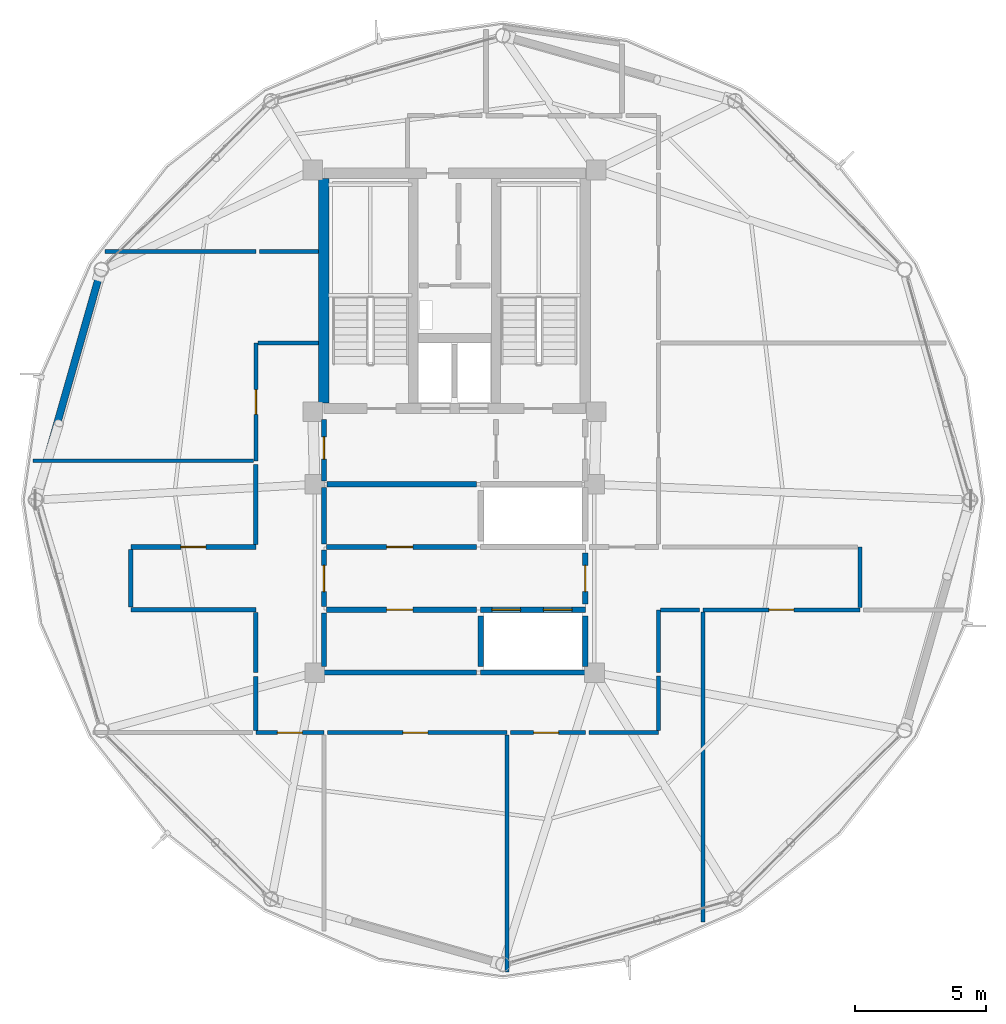
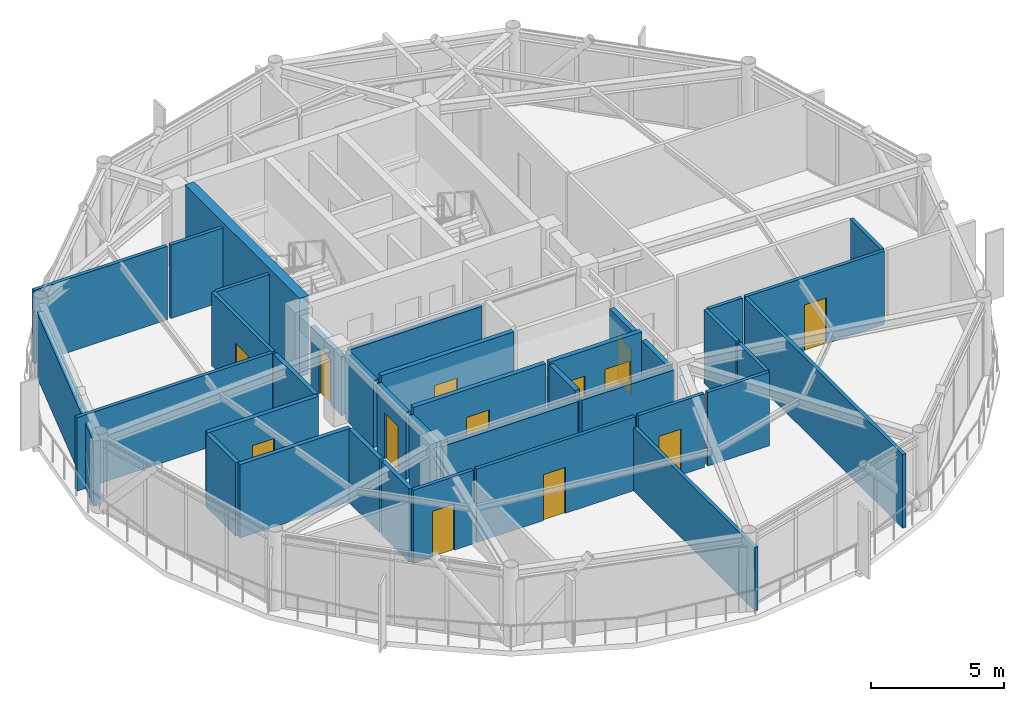
# One storey, part 19 of 24: 37 walls, 13 doors, 13 openings.
"""IFC4 building model written with IfcOpenShell, lengths in metres."""

from ifc_helpers import new_model, si_unit, direction, frame, frame_2d, origin, place, context, subcontext, project, spatial, rectangle, extrude, material, layer, layer_set, type_object, element, fill, save


model = new_model("IFC4")

# Units and contexts
model_context = context("Model", 3, precision=1e-05, world=origin(), true_north=direction((0.0, 1.0)))
body_context = subcontext(model_context, "Body", "Model", "MODEL_VIEW")
ifc_project = project(units=[si_unit("LENGTHUNIT", "METRE"), si_unit("AREAUNIT", "SQUARE_METRE"), si_unit("VOLUMEUNIT", "CUBIC_METRE"), si_unit("PLANEANGLEUNIT", "RADIAN"), si_unit("MASSUNIT", "GRAM", prefix="KILO")], contexts=[model_context])

# Site, building, storey
site_placement = place(None, origin())
site = spatial("IfcSite", under=ifc_project, at=site_placement, CompositionType="ELEMENT")
building_placement = place(site_placement, origin())
building = spatial("IfcBuilding", under=site, at=building_placement, Name="Varnakorn Sky Granary", CompositionType="ELEMENT")
storey_placement = place(building_placement, frame((0.0, 0.0, 281.39990234375)))
storey = spatial("IfcBuildingStorey", under=building, at=storey_placement, Name="L72", CompositionType="ELEMENT", Elevation=281.39990234375)

# Walls
ifc_material_1 = material(Name="Concrete C50/60", Category="concrete")
ifc_layer_1 = layer(ifc_material_1, 0.39990234375, Name="Concrete C50/60")
ifc_layer_set_1 = layer_set([ifc_layer_1], Name="Concrete C50/60")
wall_type_1 = type_object("IfcWallType", Name="WT-CW-SHEAR-400", PredefinedType="SHEAR", material=ifc_layer_set_1)
wall_1_placement = place(storey_placement, frame((-2.0, 3.7099609375, 0.0), z_axis=(0.0, 0.0, 1.0), x_axis=(0.0, 1.0, 0.0)))
element("IfcWall", 1, at=wall_1_placement, inside=storey, type_object=wall_type_1, Name="Core West Shear Wall L72", PredefinedType="SHEAR", context=body_context, shape_type="SweptSolid", body=[
    extrude(rectangle(XDim=8.580078125, YDim=0.39990234375, at=frame_2d((4.2900390625, 0.0))), origin(), (0.0, 0.0, 1.0), 3.592041015625),
])
ifc_material_2 = material(Name="Precast concrete C40/50", Category="concrete")
ifc_layer_2 = layer(ifc_material_2, 0.280029296875, Name="Precast concrete C40/50")
ifc_layer_set_2 = layer_set([ifc_layer_2], Name="Precast concrete C40/50")
wall_type_2 = type_object("IfcWallType", Name="WT-EW-CRN-280", PredefinedType="SOLIDWALL", material=ifc_layer_set_2)
wall_2_placement = place(storey_placement, frame((-12.970703125, 0.2255859375, 0.0), z_axis=(0.0, 0.0, 1.0), x_axis=(0.274124267382, 0.961694278881, 0.0)))
element("IfcWall", 2, at=wall_2_placement, inside=storey, type_object=wall_type_2, Name="Agritech Insulated Precast Facade Wall L72-P06", PredefinedType="SOLIDWALL", context=body_context, shape_type="SweptSolid", body=[
    extrude(rectangle(XDim=8.69873046875, YDim=0.280029296875, at=frame_2d((4.349365234375, 0.0))), origin(), (0.0, 0.0, 1.0), 2.97021484375),
])

# Wall, opening, door
ifc_material_3 = material(Name="Autoclaved Aerated Concrete Blockwork", Category="masonry")
ifc_layer_3 = layer(ifc_material_3, 0.199951171875, Name="Autoclaved Aerated Concrete Blockwork")
ifc_layer_set_3 = layer_set([ifc_layer_3], Name="Autoclaved Aerated Concrete Blockwork")
wall_type_3 = type_object("IfcWallType", Name="WT-FIRE-200", PredefinedType="MOVABLE", material=ifc_layer_set_3)
wall_3_placement = place(storey_placement, frame((-2.0, 0.719970703125, 0.0), z_axis=(0.0, 0.0, 1.0), x_axis=(0.0, 1.0, 0.0)))
wall_3 = element("IfcWall", 3, at=wall_3_placement, inside=storey, type_object=wall_type_3, Name="Interior Partition Wall L72-013", PredefinedType="MOVABLE", context=body_context, shape_type="SweptSolid", body=[
    extrude(rectangle(XDim=2.35009765625, YDim=0.199951171875, at=frame_2d((1.175048828125, 0.0))), origin(), (0.0, 0.0, 1.0), 2.692138671875),
])
opening_1_placement = place(wall_3_placement, frame((0.844970703125, 0.0, 0.0)))
opening_1 = element("IfcOpeningElement", 4, at=opening_1_placement, cuts=wall_3, Name="Opening FD-60N", PredefinedType="OPENING", context=body_context, shape_type="SweptSolid", body=[
    extrude(rectangle(XDim=0.85009765625, YDim=2.10009765625, at=frame_2d((0.425048828125, 1.050048828125))), frame((0.0, 0.10986328125, 0.0), z_axis=(0.0, -1.0, 0.0), x_axis=(1.0, 0.0, 0.0)), (0.0, 0.0, 1.0), 0.219970703125),
])
ifc_material_4 = material(Name="Acoustic Timber Fire Leaf", Category="wood")
door_type_1 = type_object("IfcDoorType", Name="DR-FD60-850", OperationType="NOTDEFINED", PredefinedType="DOOR", material=ifc_material_4)
door_1_placement = place(opening_1_placement, origin())
door_1 = element("IfcDoor", 5, at=door_1_placement, inside=storey, type_object=door_type_1, Name="Interior Door L72-013-1", OperationType="SINGLE_SWING_RIGHT", OverallHeight=2.10009765625, OverallWidth=0.85009765625, PredefinedType="DOOR", context=body_context, shape_type="SweptSolid", body=[
    extrude(rectangle(XDim=0.85009765625, YDim=2.10009765625, at=frame_2d((0.425048828125, 1.050048828125))), frame((0.0, 0.02490234375, 0.0), z_axis=(0.0, -1.0, 0.0), x_axis=(1.0, 0.0, 0.0)), (0.0, 0.0, 1.0), 0.050048828125),
])
fill(opening_1, door_1)

wall_4_placement = place(storey_placement, frame((-2.0, -4.080078125, 0.0), z_axis=(0.0, 0.0, 1.0), x_axis=(0.0, 1.0, 0.0)))
wall_4 = element("IfcWall", 6, at=wall_4_placement, inside=storey, type_object=wall_type_3, Name="Interior Partition Wall L72-015", PredefinedType="MOVABLE", context=body_context, shape_type="SweptSolid", body=[
    extrude(rectangle(XDim=2.16015625, YDim=0.199951171875, at=frame_2d((1.080078125, 0.0))), origin(), (0.0, 0.0, 1.0), 3.072021484375),
])
opening_2_placement = place(wall_4_placement, frame((0.580078125, 0.0, 0.0)))
opening_2 = element("IfcOpeningElement", 7, at=opening_2_placement, cuts=wall_4, Name="Opening FD-60", PredefinedType="OPENING", context=body_context, shape_type="SweptSolid", body=[
    extrude(rectangle(XDim=1.0, YDim=2.10009765625, at=frame_2d((0.5, 1.050048828125))), frame((0.0, 0.10986328125, 0.0), z_axis=(0.0, -1.0, 0.0), x_axis=(1.0, 0.0, 0.0)), (0.0, 0.0, 1.0), 0.219970703125),
])
door_type_2 = type_object("IfcDoorType", Name="DR-FD60-1000", OperationType="NOTDEFINED", PredefinedType="DOOR", material=ifc_material_4)
door_2_placement = place(opening_2_placement, origin())
door_2 = element("IfcDoor", 8, at=door_2_placement, inside=storey, type_object=door_type_2, Name="Interior Door L72-015-1", OperationType="SINGLE_SWING_RIGHT", OverallHeight=2.10009765625, OverallWidth=1.0, PredefinedType="DOOR", context=body_context, shape_type="SweptSolid", body=[
    extrude(rectangle(XDim=1.0, YDim=2.10009765625, at=frame_2d((0.5, 1.050048828125))), frame((0.0, 0.02490234375, 0.0), z_axis=(0.0, -1.0, 0.0), x_axis=(1.0, 0.0, 0.0)), (0.0, 0.0, 1.0), 0.050048828125),
])
fill(opening_2, door_2)

wall_5_placement = place(storey_placement, frame((8.0, -3.969970703125, 0.0), z_axis=(0.0, 0.0, 1.0), x_axis=(0.0, 1.0, 0.0)))
wall_5 = element("IfcWall", 9, at=wall_5_placement, inside=storey, type_object=wall_type_3, Name="Interior Partition Wall L72-016", PredefinedType="MOVABLE", context=body_context, shape_type="SweptSolid", body=[
    extrude(rectangle(XDim=1.93994140625, YDim=0.199951171875, at=frame_2d((0.969970703125, 0.0))), origin(), (0.0, 0.0, 1.0), 3.072021484375),
])
opening_3_placement = place(wall_5_placement, frame((0.469970703125, 0.0, 0.0)))
opening_3 = element("IfcOpeningElement", 10, at=opening_3_placement, cuts=wall_5, Name="Opening FD-60", PredefinedType="OPENING", context=body_context, shape_type="SweptSolid", body=[
    extrude(rectangle(XDim=1.0, YDim=2.10009765625, at=frame_2d((0.5, 1.050048828125))), frame((0.0, 0.10986328125, 0.0), z_axis=(0.0, -1.0, 0.0), x_axis=(1.0, 0.0, 0.0)), (0.0, 0.0, 1.0), 0.219970703125),
])
door_3_placement = place(opening_3_placement, origin())
door_3 = element("IfcDoor", 11, at=door_3_placement, inside=storey, type_object=door_type_2, Name="Interior Door L72-016-1", OperationType="SINGLE_SWING_LEFT", OverallHeight=2.10009765625, OverallWidth=1.0, PredefinedType="DOOR", context=body_context, shape_type="SweptSolid", body=[
    extrude(rectangle(XDim=1.0, YDim=2.10009765625, at=frame_2d((0.5, 1.050048828125))), frame((0.0, 0.02490234375, 0.0), z_axis=(0.0, -1.0, 0.0), x_axis=(1.0, 0.0, 0.0)), (0.0, 0.0, 1.0), 0.050048828125),
])
fill(opening_3, door_3)

wall_6_placement = place(storey_placement, frame((-1.889892578125, -1.800048828125, 0.0), z_axis=(0.0, 0.0, 1.0), x_axis=(1.0, 0.0, 0.0)))
wall_6 = element("IfcWall", 12, at=wall_6_placement, inside=storey, type_object=wall_type_3, Name="Interior Partition Wall L72-017", PredefinedType="MOVABLE", context=body_context, shape_type="SweptSolid", body=[
    extrude(rectangle(XDim=5.72998046875, YDim=0.199951171875, at=frame_2d((2.864990234375, 0.0))), origin(), (0.0, 0.0, 1.0), 3.360107421875),
])
opening_4_placement = place(wall_6_placement, frame((2.2900390625, 0.0, 0.0)))
opening_4 = element("IfcOpeningElement", 13, at=opening_4_placement, cuts=wall_6, Name="Opening FD-60", PredefinedType="OPENING", context=body_context, shape_type="SweptSolid", body=[
    extrude(rectangle(XDim=1.0, YDim=2.10009765625, at=frame_2d((0.5, 1.050048828125))), frame((0.0, 0.10986328125, 0.0), z_axis=(0.0, -1.0, 0.0), x_axis=(1.0, 0.0, 0.0)), (0.0, 0.0, 1.0), 0.219970703125),
])
door_4_placement = place(opening_4_placement, origin())
door_4 = element("IfcDoor", 14, at=door_4_placement, inside=storey, type_object=door_type_2, Name="Interior Door L72-017-1", OperationType="SINGLE_SWING_RIGHT", OverallHeight=2.10009765625, OverallWidth=1.0, PredefinedType="DOOR", context=body_context, shape_type="SweptSolid", body=[
    extrude(rectangle(XDim=1.0, YDim=2.10009765625, at=frame_2d((0.5, 1.050048828125))), frame((0.0, 0.02490234375, 0.0), z_axis=(0.0, -1.0, 0.0), x_axis=(1.0, 0.0, 0.0)), (0.0, 0.0, 1.0), 0.050048828125),
])
fill(opening_4, door_4)

wall_7_placement = place(storey_placement, frame((-1.889892578125, -4.199951171875, 0.0), z_axis=(0.0, 0.0, 1.0), x_axis=(1.0, 0.0, 0.0)))
wall_7 = element("IfcWall", 15, at=wall_7_placement, inside=storey, type_object=wall_type_3, Name="Interior Partition Wall L72-018", PredefinedType="MOVABLE", context=body_context, shape_type="SweptSolid", body=[
    extrude(rectangle(XDim=5.72998046875, YDim=0.199951171875, at=frame_2d((2.864990234375, 0.0))), origin(), (0.0, 0.0, 1.0), 3.360107421875),
])
opening_5_placement = place(wall_7_placement, frame((2.2900390625, 0.0, 0.0)))
opening_5 = element("IfcOpeningElement", 16, at=opening_5_placement, cuts=wall_7, Name="Opening FD-60", PredefinedType="OPENING", context=body_context, shape_type="SweptSolid", body=[
    extrude(rectangle(XDim=1.0, YDim=2.10009765625, at=frame_2d((0.5, 1.050048828125))), frame((0.0, 0.10986328125, 0.0), z_axis=(0.0, -1.0, 0.0), x_axis=(1.0, 0.0, 0.0)), (0.0, 0.0, 1.0), 0.219970703125),
])
door_5_placement = place(opening_5_placement, origin())
door_5 = element("IfcDoor", 17, at=door_5_placement, inside=storey, type_object=door_type_2, Name="Interior Door L72-018-1", OperationType="SINGLE_SWING_LEFT", OverallHeight=2.10009765625, OverallWidth=1.0, PredefinedType="DOOR", context=body_context, shape_type="SweptSolid", body=[
    extrude(rectangle(XDim=1.0, YDim=2.10009765625, at=frame_2d((0.5, 1.050048828125))), frame((0.0, 0.02490234375, 0.0), z_axis=(0.0, -1.0, 0.0), x_axis=(1.0, 0.0, 0.0)), (0.0, 0.0, 1.0), 0.050048828125),
])
fill(opening_5, door_5)

# Walls
wall_8_placement = place(storey_placement, frame((-1.8798828125, 0.60009765625, 0.0), z_axis=(0.0, 0.0, 1.0), x_axis=(1.0, 0.0, 0.0)))
element("IfcWall", 18, at=wall_8_placement, inside=storey, type_object=wall_type_3, Name="Interior Partition Wall L72-030", PredefinedType="MOVABLE", context=body_context, shape_type="SweptSolid", body=[
    extrude(rectangle(XDim=5.719970703125, YDim=0.199951171875, at=frame_2d((2.85986328125, 0.0))), origin(), (0.0, 0.0, 1.0), 3.072021484375),
])
wall_9_placement = place(storey_placement, frame((-2.0, -1.679931640625, 0.0), z_axis=(0.0, 0.0, 1.0), x_axis=(0.0, 1.0, 0.0)))
element("IfcWall", 19, at=wall_9_placement, inside=storey, type_object=wall_type_3, Name="Interior Partition Wall L72-031", PredefinedType="MOVABLE", context=body_context, shape_type="SweptSolid", body=[
    extrude(rectangle(XDim=2.159912109375, YDim=0.199951171875, at=frame_2d((1.080078125, 0.0))), origin(), (0.0, 0.0, 1.0), 3.072021484375),
])
wall_10_placement = place(storey_placement, frame((-2.0, -6.60009765625, 0.0), z_axis=(0.0, 0.0, 1.0), x_axis=(1.0, 0.0, 0.0)))
element("IfcWall", 20, at=wall_10_placement, inside=storey, type_object=wall_type_3, Name="Interior Partition Wall L72-032", PredefinedType="MOVABLE", context=body_context, shape_type="SweptSolid", body=[
    extrude(rectangle(XDim=5.840087890625, YDim=0.199951171875, at=frame_2d((2.919921875, 0.0))), origin(), (0.0, 0.0, 1.0), 3.072021484375),
])
wall_11_placement = place(storey_placement, frame((-2.0, -6.3701171875, 0.0), z_axis=(0.0, 0.0, 1.0), x_axis=(0.0, 1.0, 0.0)))
element("IfcWall", 21, at=wall_11_placement, inside=storey, type_object=wall_type_3, Name="Interior Partition Wall L72-033", PredefinedType="MOVABLE", context=body_context, shape_type="SweptSolid", body=[
    extrude(rectangle(XDim=2.050048828125, YDim=0.199951171875, at=frame_2d((1.02490234375, 0.0))), origin(), (0.0, 0.0, 1.0), 3.072021484375),
])

# Wall, opening, door
ifc_material_5 = material(Name="Gypsum Plasterboard on Steel Stud", Category="steel")
ifc_layer_4 = layer(ifc_material_5, 0.14990234375, Name="Gypsum Plasterboard on Steel Stud")
ifc_layer_set_4 = layer_set([ifc_layer_4], Name="Gypsum Plasterboard on Steel Stud")
wall_type_4 = type_object("IfcWallType", Name="WT-PART-150", PredefinedType="PARTITIONING", material=ifc_layer_set_4)
wall_12_placement = place(storey_placement, frame((-4.60009765625, -8.89990234375, 0.0), z_axis=(0.0, 0.0, 1.0), x_axis=(1.0, 0.0, 0.0)))
wall_12 = element("IfcWall", 22, at=wall_12_placement, inside=storey, type_object=wall_type_4, Name="Interior Partition Wall L72-021", PredefinedType="PARTITIONING", context=body_context, shape_type="SweptSolid", body=[
    extrude(rectangle(XDim=2.60009765625, YDim=0.14990234375, at=frame_2d((1.300048828125, 0.0))), origin(), (0.0, 0.0, 1.0), 3.360107421875),
])
opening_6_placement = place(wall_12_placement, frame((0.824951171875, 0.0, 0.0)))
opening_6 = element("IfcOpeningElement", 23, at=opening_6_placement, cuts=wall_12, Name="Opening ID-95", PredefinedType="OPENING", context=body_context, shape_type="SweptSolid", body=[
    extrude(rectangle(XDim=0.949951171875, YDim=2.10009765625, at=frame_2d((0.47509765625, 1.050048828125))), frame((0.0, 0.0849609375, 0.0), z_axis=(0.0, -1.0, 0.0), x_axis=(1.0, 0.0, 0.0)), (0.0, 0.0, 1.0), 0.169921875),
])
ifc_material_6 = material(Name="Solid-Core Teak Veneer Leaf", Category="timber")
door_type_3 = type_object("IfcDoorType", Name="DR-INT-950", OperationType="NOTDEFINED", PredefinedType="DOOR", material=ifc_material_6)
door_6_placement = place(opening_6_placement, origin())
door_6 = element("IfcDoor", 24, at=door_6_placement, inside=storey, type_object=door_type_3, Name="Interior Door L72-021-1", OperationType="SINGLE_SWING_RIGHT", OverallHeight=2.10009765625, OverallWidth=0.949951171875, PredefinedType="DOOR", context=body_context, shape_type="SweptSolid", body=[
    extrude(rectangle(XDim=0.949951171875, YDim=2.10009765625, at=frame_2d((0.47509765625, 1.050048828125))), frame((0.0, 0.02490234375, 0.0), z_axis=(0.0, -1.0, 0.0), x_axis=(1.0, 0.0, 0.0)), (0.0, 0.0, 1.0), 0.050048828125),
])
fill(opening_6, door_6)

wall_13_placement = place(storey_placement, frame((-1.864990234375, -8.89990234375, 0.0), z_axis=(0.0, 0.0, 1.0), x_axis=(1.0, 0.0, 0.0)))
wall_13 = element("IfcWall", 25, at=wall_13_placement, inside=storey, type_object=wall_type_4, Name="Interior Partition Wall L72-022", PredefinedType="PARTITIONING", context=body_context, shape_type="SweptSolid", body=[
    extrude(rectangle(XDim=6.864990234375, YDim=0.14990234375, at=frame_2d((3.4326171875, 0.0))), origin(), (0.0, 0.0, 1.0), 3.360107421875),
])
opening_7_placement = place(wall_13_placement, frame((2.889892578125, 0.0, 0.0)))
opening_7 = element("IfcOpeningElement", 26, at=opening_7_placement, cuts=wall_13, Name="Opening ID-95", PredefinedType="OPENING", context=body_context, shape_type="SweptSolid", body=[
    extrude(rectangle(XDim=0.949951171875, YDim=2.10009765625, at=frame_2d((0.47509765625, 1.050048828125))), frame((0.0, 0.0849609375, 0.0), z_axis=(0.0, -1.0, 0.0), x_axis=(1.0, 0.0, 0.0)), (0.0, 0.0, 1.0), 0.169921875),
])
door_7_placement = place(opening_7_placement, origin())
door_7 = element("IfcDoor", 27, at=door_7_placement, inside=storey, type_object=door_type_3, Name="Interior Door L72-022-1", OperationType="SINGLE_SWING_LEFT", OverallHeight=2.10009765625, OverallWidth=0.949951171875, PredefinedType="DOOR", context=body_context, shape_type="SweptSolid", body=[
    extrude(rectangle(XDim=0.949951171875, YDim=2.10009765625, at=frame_2d((0.47509765625, 1.050048828125))), frame((0.0, 0.02490234375, 0.0), z_axis=(0.0, -1.0, 0.0), x_axis=(1.0, 0.0, 0.0)), (0.0, 0.0, 1.0), 0.050048828125),
])
fill(opening_7, door_7)

wall_14_placement = place(storey_placement, frame((5.135009765625, -8.89990234375, 0.0), z_axis=(0.0, 0.0, 1.0), x_axis=(1.0, 0.0, 0.0)))
wall_14 = element("IfcWall", 28, at=wall_14_placement, inside=storey, type_object=wall_type_4, Name="Interior Partition Wall L72-023", PredefinedType="PARTITIONING", context=body_context, shape_type="SweptSolid", body=[
    extrude(rectangle(XDim=2.864990234375, YDim=0.14990234375, at=frame_2d((1.4326171875, 0.0))), origin(), (0.0, 0.0, 1.0), 3.360107421875),
])
opening_8_placement = place(wall_14_placement, frame((0.889892578125, 0.0, 0.0)))
opening_8 = element("IfcOpeningElement", 29, at=opening_8_placement, cuts=wall_14, Name="Opening ID-95", PredefinedType="OPENING", context=body_context, shape_type="SweptSolid", body=[
    extrude(rectangle(XDim=0.949951171875, YDim=2.10009765625, at=frame_2d((0.47509765625, 1.050048828125))), frame((0.0, 0.0849609375, 0.0), z_axis=(0.0, -1.0, 0.0), x_axis=(1.0, 0.0, 0.0)), (0.0, 0.0, 1.0), 0.169921875),
])
door_8_placement = place(opening_8_placement, origin())
door_8 = element("IfcDoor", 30, at=door_8_placement, inside=storey, type_object=door_type_3, Name="Interior Door L72-023-1", OperationType="SINGLE_SWING_RIGHT", OverallHeight=2.10009765625, OverallWidth=0.949951171875, PredefinedType="DOOR", context=body_context, shape_type="SweptSolid", body=[
    extrude(rectangle(XDim=0.949951171875, YDim=2.10009765625, at=frame_2d((0.47509765625, 1.050048828125))), frame((0.0, 0.02490234375, 0.0), z_axis=(0.0, -1.0, 0.0), x_axis=(1.0, 0.0, 0.0)), (0.0, 0.0, 1.0), 0.050048828125),
])
fill(opening_8, door_8)

wall_15_placement = place(storey_placement, frame((12.5, -4.199951171875, 0.0), z_axis=(0.0, 0.0, 1.0), x_axis=(1.0, 0.0, 0.0)))
wall_15 = element("IfcWall", 31, at=wall_15_placement, inside=storey, type_object=wall_type_4, Name="Interior Partition Wall L72-024", PredefinedType="PARTITIONING", context=body_context, shape_type="SweptSolid", body=[
    extrude(rectangle(XDim=6.0, YDim=0.14990234375, at=frame_2d((3.0, 0.0))), origin(), (0.0, 0.0, 1.0), 3.360107421875),
])
opening_9_placement = place(wall_15_placement, frame((2.52490234375, 0.0, 0.0)))
opening_9 = element("IfcOpeningElement", 32, at=opening_9_placement, cuts=wall_15, Name="Opening ID-95", PredefinedType="OPENING", context=body_context, shape_type="SweptSolid", body=[
    extrude(rectangle(XDim=0.949951171875, YDim=2.10009765625, at=frame_2d((0.47509765625, 1.050048828125))), frame((0.0, 0.0849609375, 0.0), z_axis=(0.0, -1.0, 0.0), x_axis=(1.0, 0.0, 0.0)), (0.0, 0.0, 1.0), 0.169921875),
])
door_9_placement = place(opening_9_placement, origin())
door_9 = element("IfcDoor", 33, at=door_9_placement, inside=storey, type_object=door_type_3, Name="Interior Door L72-024-1", OperationType="SINGLE_SWING_LEFT", OverallHeight=2.10009765625, OverallWidth=0.949951171875, PredefinedType="DOOR", context=body_context, shape_type="SweptSolid", body=[
    extrude(rectangle(XDim=0.949951171875, YDim=2.10009765625, at=frame_2d((0.47509765625, 1.050048828125))), frame((0.0, 0.02490234375, 0.0), z_axis=(0.0, -1.0, 0.0), x_axis=(1.0, 0.0, 0.0)), (0.0, 0.0, 1.0), 0.050048828125),
])
fill(opening_9, door_9)

wall_16_placement = place(storey_placement, frame((-4.60009765625, 6.0, 0.0), z_axis=(0.0, 0.0, 1.0), x_axis=(0.0, -1.0, 0.0)))
wall_16 = element("IfcWall", 34, at=wall_16_placement, inside=storey, type_object=wall_type_4, Name="Interior Partition Wall L72-026", PredefinedType="PARTITIONING", context=body_context, shape_type="SweptSolid", body=[
    extrude(rectangle(XDim=4.5, YDim=0.14990234375, at=frame_2d((2.25, 0.0))), origin(), (0.0, 0.0, 1.0), 3.360107421875),
])
opening_10_placement = place(wall_16_placement, frame((1.77490234375, 0.0, 0.0)))
opening_10 = element("IfcOpeningElement", 35, at=opening_10_placement, cuts=wall_16, Name="Opening ID-95", PredefinedType="OPENING", context=body_context, shape_type="SweptSolid", body=[
    extrude(rectangle(XDim=0.949951171875, YDim=2.10009765625, at=frame_2d((0.47509765625, 1.050048828125))), frame((0.0, 0.0849609375, 0.0), z_axis=(0.0, -1.0, 0.0), x_axis=(1.0, 0.0, 0.0)), (0.0, 0.0, 1.0), 0.169921875),
])
door_10_placement = place(opening_10_placement, origin())
door_10 = element("IfcDoor", 36, at=door_10_placement, inside=storey, type_object=door_type_3, Name="Interior Door L72-026-1", OperationType="SINGLE_SWING_LEFT", OverallHeight=2.10009765625, OverallWidth=0.949951171875, PredefinedType="DOOR", context=body_context, shape_type="SweptSolid", body=[
    extrude(rectangle(XDim=0.949951171875, YDim=2.10009765625, at=frame_2d((0.47509765625, 1.050048828125))), frame((0.0, 0.02490234375, 0.0), z_axis=(0.0, -1.0, 0.0), x_axis=(1.0, 0.0, 0.0)), (0.0, 0.0, 1.0), 0.050048828125),
])
fill(opening_10, door_10)

# Walls
wall_17_placement = place(storey_placement, frame((5.0, -8.985107421875, 0.0), z_axis=(0.0, 0.0, 1.0), x_axis=(0.0, -1.0, 0.0)))
element("IfcWall", 37, at=wall_17_placement, inside=storey, type_object=wall_type_4, Name="Interior Partition Wall L72-037", PredefinedType="PARTITIONING", context=body_context, shape_type="SweptSolid", body=[
    extrude(rectangle(XDim=9.07177734375, YDim=0.14990234375, at=frame_2d((4.535888671875, 0.0))), origin(), (0.0, 0.0, 1.0), 2.89208984375),
])
wall_18_placement = place(storey_placement, frame((8.135009765625, -8.89990234375, 0.0), z_axis=(0.0, 0.0, 1.0), x_axis=(1.0, 0.0, 0.0)))
element("IfcWall", 38, at=wall_18_placement, inside=storey, type_object=wall_type_4, Name="Interior Partition Wall L72-038", PredefinedType="PARTITIONING", context=body_context, shape_type="SweptSolid", body=[
    extrude(rectangle(XDim=2.6650390625, YDim=0.14990234375, at=frame_2d((1.33251953125, 0.0))), origin(), (0.0, 0.0, 1.0), 3.360107421875),
])
wall_19_placement = place(storey_placement, frame((10.800048828125, -6.60009765625, 0.0), z_axis=(0.0, 0.0, 1.0), x_axis=(0.0, 1.0, 0.0)))
element("IfcWall", 39, at=wall_19_placement, inside=storey, type_object=wall_type_4, Name="Interior Partition Wall L72-039", PredefinedType="PARTITIONING", context=body_context, shape_type="SweptSolid", body=[
    extrude(rectangle(XDim=2.400146484375, YDim=0.14990234375, at=frame_2d((1.2001953125, 0.0))), origin(), (0.0, 0.0, 1.0), 3.360107421875),
])
wall_20_placement = place(storey_placement, frame((10.800048828125, -8.81494140625, 0.0), z_axis=(0.0, 0.0, 1.0), x_axis=(0.0, 1.0, 0.0)))
element("IfcWall", 40, at=wall_20_placement, inside=storey, type_object=wall_type_4, Name="Interior Partition Wall L72-040", PredefinedType="PARTITIONING", context=body_context, shape_type="SweptSolid", body=[
    extrude(rectangle(XDim=2.079833984375, YDim=0.14990234375, at=frame_2d((1.0400390625, 0.0))), origin(), (0.0, 0.0, 1.0), 3.360107421875),
])
wall_21_placement = place(storey_placement, frame((10.885009765625, -4.199951171875, 0.0), z_axis=(0.0, 0.0, 1.0), x_axis=(1.0, 0.0, 0.0)))
element("IfcWall", 41, at=wall_21_placement, inside=storey, type_object=wall_type_4, Name="Interior Partition Wall L72-041", PredefinedType="PARTITIONING", context=body_context, shape_type="SweptSolid", body=[
    extrude(rectangle(XDim=1.47998046875, YDim=0.14990234375, at=frame_2d((0.739990234375, 0.0))), origin(), (0.0, 0.0, 1.0), 3.360107421875),
])
wall_22_placement = place(storey_placement, frame((12.5, -4.284912109375, 0.0), z_axis=(0.0, 0.0, 1.0), x_axis=(0.0, -1.0, 0.0)))
element("IfcWall", 42, at=wall_22_placement, inside=storey, type_object=wall_type_4, Name="Interior Partition Wall L72-042", PredefinedType="PARTITIONING", context=body_context, shape_type="SweptSolid", body=[
    extrude(rectangle(XDim=11.85302734375, YDim=0.14990234375, at=frame_2d((5.926513671875, 0.0))), origin(), (0.0, 0.0, 1.0), 3.360107421875),
])
wall_23_placement = place(storey_placement, frame((-13.132080078125, 1.5, 0.0), z_axis=(0.0, 0.0, 1.0), x_axis=(1.0, 0.0, 0.0)))
element("IfcWall", 43, at=wall_23_placement, inside=storey, type_object=wall_type_4, Name="Interior Partition Wall L72-049", PredefinedType="PARTITIONING", context=body_context, shape_type="SweptSolid", body=[
    extrude(rectangle(XDim=8.447021484375, YDim=0.14990234375, at=frame_2d((4.2236328125, 0.0))), origin(), (0.0, 0.0, 1.0), 3.360107421875),
])
wall_24_placement = place(storey_placement, frame((-2.2099609375, 6.0, 0.0), z_axis=(0.0, 0.0, 1.0), x_axis=(-1.0, 0.0, 0.0)))
element("IfcWall", 44, at=wall_24_placement, inside=storey, type_object=wall_type_4, Name="Interior Partition Wall L72-050", PredefinedType="PARTITIONING", context=body_context, shape_type="SweptSolid", body=[
    extrude(rectangle(XDim=2.304931640625, YDim=0.14990234375, at=frame_2d((1.15234375, 0.0))), origin(), (0.0, 0.0, 1.0), 3.360107421875),
])
wall_25_placement = place(storey_placement, frame((-10.3740234375, 9.5, 0.0), z_axis=(0.0, 0.0, 1.0), x_axis=(1.0, 0.0, 0.0)))
element("IfcWall", 45, at=wall_25_placement, inside=storey, type_object=wall_type_4, Name="Interior Partition Wall L72-051", PredefinedType="PARTITIONING", context=body_context, shape_type="SweptSolid", body=[
    extrude(rectangle(XDim=5.77392578125, YDim=0.14990234375, at=frame_2d((2.886962890625, 0.0))), origin(), (0.0, 0.0, 1.0), 3.360107421875),
])
wall_26_placement = place(storey_placement, frame((-4.465087890625, 9.5, 0.0), z_axis=(0.0, 0.0, 1.0), x_axis=(1.0, 0.0, 0.0)))
element("IfcWall", 46, at=wall_26_placement, inside=storey, type_object=wall_type_4, Name="Interior Partition Wall L72-052", PredefinedType="PARTITIONING", context=body_context, shape_type="SweptSolid", body=[
    extrude(rectangle(XDim=2.255126953125, YDim=0.14990234375, at=frame_2d((1.12744140625, 0.0))), origin(), (0.0, 0.0, 1.0), 3.360107421875),
])
wall_27_placement = place(storey_placement, frame((18.5, -4.114990234375, 0.0), z_axis=(0.0, 0.0, 1.0), x_axis=(0.0, 1.0, 0.0)))
element("IfcWall", 47, at=wall_27_placement, inside=storey, type_object=wall_type_4, Name="Interior Partition Wall L72-055", PredefinedType="PARTITIONING", context=body_context, shape_type="SweptSolid", body=[
    extrude(rectangle(XDim=2.31494140625, YDim=0.14990234375, at=frame_2d((1.157470703125, 0.0))), origin(), (0.0, 0.0, 1.0), 3.360107421875),
])

# Wall, opening, door
ifc_material_7 = material(Name="Moisture-Resistant Gypsum on Stud", Category="gypsum")
ifc_layer_5 = layer(ifc_material_7, 0.179931640625, Name="Moisture-Resistant Gypsum on Stud")
ifc_layer_set_5 = layer_set([ifc_layer_5], Name="Moisture-Resistant Gypsum on Stud")
wall_type_5 = type_object("IfcWallType", Name="WT-PLUMB-180", PredefinedType="PLUMBINGWALL", material=ifc_layer_set_5)
wall_28_placement = place(storey_placement, frame((-4.60009765625, -1.800048828125, 0.0), z_axis=(0.0, 0.0, 1.0), x_axis=(-1.0, 0.0, 0.0)))
wall_28 = element("IfcWall", 48, at=wall_28_placement, inside=storey, type_object=wall_type_5, Name="Interior Partition Wall L72-025", PredefinedType="PLUMBINGWALL", context=body_context, shape_type="SweptSolid", body=[
    extrude(rectangle(XDim=4.784912109375, YDim=0.179931640625, at=frame_2d((2.392578125, 0.0))), origin(), (0.0, 0.0, 1.0), 3.360107421875),
])
opening_11_placement = place(wall_28_placement, frame((1.9169921875, 0.0, 0.0)))
opening_11 = element("IfcOpeningElement", 49, at=opening_11_placement, cuts=wall_28, Name="Opening ID-95", PredefinedType="OPENING", context=body_context, shape_type="SweptSolid", body=[
    extrude(rectangle(XDim=0.949951171875, YDim=2.10009765625, at=frame_2d((0.47509765625, 1.050048828125))), frame((0.0, 0.10009765625, 0.0), z_axis=(0.0, -1.0, 0.0), x_axis=(1.0, 0.0, 0.0)), (0.0, 0.0, 1.0), 0.199951171875),
])
door_11_placement = place(opening_11_placement, origin())
door_11 = element("IfcDoor", 50, at=door_11_placement, inside=storey, type_object=door_type_3, Name="Interior Door L72-025-1", OperationType="SINGLE_SWING_RIGHT", OverallHeight=2.10009765625, OverallWidth=0.949951171875, PredefinedType="DOOR", context=body_context, shape_type="SweptSolid", body=[
    extrude(rectangle(XDim=0.949951171875, YDim=2.10009765625, at=frame_2d((0.47509765625, 1.050048828125))), frame((0.0, 0.02490234375, 0.0), z_axis=(0.0, -1.0, 0.0), x_axis=(1.0, 0.0, 0.0)), (0.0, 0.0, 1.0), 0.050048828125),
])
fill(opening_11, door_11)

# Walls
wall_29_placement = place(storey_placement, frame((-9.385009765625, -4.199951171875, 0.0), z_axis=(0.0, 0.0, 1.0), x_axis=(1.0, 0.0, 0.0)))
element("IfcWall", 51, at=wall_29_placement, inside=storey, type_object=wall_type_5, Name="Interior Partition Wall L72-044", PredefinedType="PLUMBINGWALL", context=body_context, shape_type="SweptSolid", body=[
    extrude(rectangle(XDim=4.784912109375, YDim=0.179931640625, at=frame_2d((2.392578125, 0.0))), origin(), (0.0, 0.0, 1.0), 3.360107421875),
])
wall_30_placement = place(storey_placement, frame((-4.60009765625, 1.364990234375, 0.0), z_axis=(0.0, 0.0, 1.0), x_axis=(0.0, -1.0, 0.0)))
element("IfcWall", 52, at=wall_30_placement, inside=storey, type_object=wall_type_5, Name="Interior Partition Wall L72-045", PredefinedType="PLUMBINGWALL", context=body_context, shape_type="SweptSolid", body=[
    extrude(rectangle(XDim=3.06494140625, YDim=0.179931640625, at=frame_2d((1.532470703125, 0.0))), origin(), (0.0, 0.0, 1.0), 3.360107421875),
])
wall_31_placement = place(storey_placement, frame((-9.385009765625, -1.89990234375, 0.0), z_axis=(0.0, 0.0, 1.0), x_axis=(0.0, -1.0, 0.0)))
element("IfcWall", 53, at=wall_31_placement, inside=storey, type_object=wall_type_5, Name="Interior Partition Wall L72-046", PredefinedType="PLUMBINGWALL", context=body_context, shape_type="SweptSolid", body=[
    extrude(rectangle(XDim=2.2001953125, YDim=0.179931640625, at=frame_2d((1.10009765625, 0.0))), origin(), (0.0, 0.0, 1.0), 3.360107421875),
])
wall_32_placement = place(storey_placement, frame((-4.60009765625, -4.300048828125, 0.0), z_axis=(0.0, 0.0, 1.0), x_axis=(0.0, -1.0, 0.0)))
element("IfcWall", 54, at=wall_32_placement, inside=storey, type_object=wall_type_5, Name="Interior Partition Wall L72-047", PredefinedType="PLUMBINGWALL", context=body_context, shape_type="SweptSolid", body=[
    extrude(rectangle(XDim=2.300048828125, YDim=0.179931640625, at=frame_2d((1.14990234375, 0.0))), origin(), (0.0, 0.0, 1.0), 3.360107421875),
])
wall_33_placement = place(storey_placement, frame((-4.60009765625, -6.75, 0.0), z_axis=(0.0, 0.0, 1.0), x_axis=(0.0, -1.0, 0.0)))
element("IfcWall", 55, at=wall_33_placement, inside=storey, type_object=wall_type_5, Name="Interior Partition Wall L72-048", PredefinedType="PLUMBINGWALL", context=body_context, shape_type="SweptSolid", body=[
    extrude(rectangle(XDim=2.06494140625, YDim=0.179931640625, at=frame_2d((1.032470703125, 0.0))), origin(), (0.0, 0.0, 1.0), 3.360107421875),
])

# Wall, openings, doors
ifc_layer_6 = layer(ifc_material_3, 0.199951171875, Name="Autoclaved Aerated Concrete Blockwork")
ifc_layer_set_6 = layer_set([ifc_layer_6], Name="Autoclaved Aerated Concrete Blockwork")
wall_type_6 = type_object("IfcWallType", Name="WT-SHAFT-200", PredefinedType="SOLIDWALL", material=ifc_layer_set_6)
wall_34_placement = place(storey_placement, frame((4.0, -4.199951171875, 0.0), z_axis=(0.0, 0.0, 1.0), x_axis=(1.0, 0.0, 0.0)))
wall_34 = element("IfcWall", 56, at=wall_34_placement, inside=storey, type_object=wall_type_6, Name="Interior Partition Wall L72-006", PredefinedType="SOLIDWALL", context=body_context, shape_type="SweptSolid", body=[
    extrude(rectangle(XDim=4.0, YDim=0.199951171875, at=frame_2d((2.0, 0.0))), origin(), (0.0, 0.0, 1.0), 3.360107421875),
])
opening_12_placement = place(wall_34_placement, frame((0.429931640625, 0.0, 0.0)))
opening_12 = element("IfcOpeningElement", 57, at=opening_12_placement, cuts=wall_34, Name="Opening LD-01", PredefinedType="OPENING", context=body_context, shape_type="SweptSolid", body=[
    extrude(rectangle(XDim=1.10009765625, YDim=2.199951171875, at=frame_2d((0.550048828125, 1.10009765625))), frame((0.0, 0.10986328125, 0.0), z_axis=(0.0, -1.0, 0.0), x_axis=(1.0, 0.0, 0.0)), (0.0, 0.0, 1.0), 0.219970703125),
])
opening_13_placement = place(wall_34_placement, frame((2.39990234375, 0.0, 0.0)))
opening_13 = element("IfcOpeningElement", 58, at=opening_13_placement, cuts=wall_34, Name="Opening LD-01", PredefinedType="OPENING", context=body_context, shape_type="SweptSolid", body=[
    extrude(rectangle(XDim=1.10009765625, YDim=2.199951171875, at=frame_2d((0.550048828125, 1.10009765625))), frame((0.0, 0.10986328125, 0.0), z_axis=(0.0, -1.0, 0.0), x_axis=(1.0, 0.0, 0.0)), (0.0, 0.0, 1.0), 0.219970703125),
])
ifc_material_8 = material(Name="Brushed Bronze Stainless Steel", Category="steel")
door_type_4 = type_object("IfcDoorType", Name="DR-LD-1100", OperationType="DOUBLE_DOOR_SLIDING", PredefinedType="DOOR", material=ifc_material_8)
door_12_placement = place(opening_12_placement, origin())
door_12 = element("IfcDoor", 59, at=door_12_placement, inside=storey, type_object=door_type_4, Name="Passenger Lift PL-H1 Sliding Landing Door L72", OperationType="DOUBLE_DOOR_SLIDING", OverallHeight=2.199951171875, OverallWidth=1.10009765625, PredefinedType="DOOR", context=body_context, shape_type="SweptSolid", body=[
    extrude(rectangle(XDim=1.10009765625, YDim=2.199951171875, at=frame_2d((0.550048828125, 1.10009765625))), frame((0.0, 0.02490234375, 0.0), z_axis=(0.0, -1.0, 0.0), x_axis=(1.0, 0.0, 0.0)), (0.0, 0.0, 1.0), 0.050048828125),
])
fill(opening_12, door_12)
door_13_placement = place(opening_13_placement, origin())
door_13 = element("IfcDoor", 60, at=door_13_placement, inside=storey, type_object=door_type_4, Name="Passenger Lift PL-H2 Sliding Landing Door L72", OperationType="DOUBLE_DOOR_SLIDING", OverallHeight=2.199951171875, OverallWidth=1.10009765625, PredefinedType="DOOR", context=body_context, shape_type="SweptSolid", body=[
    extrude(rectangle(XDim=1.10009765625, YDim=2.199951171875, at=frame_2d((0.550048828125, 1.10009765625))), frame((0.0, 0.02490234375, 0.0), z_axis=(0.0, -1.0, 0.0), x_axis=(1.0, 0.0, 0.0)), (0.0, 0.0, 1.0), 0.050048828125),
])
fill(opening_13, door_13)

# Walls
wall_35_placement = place(storey_placement, frame((4.0, -6.60009765625, 0.0), z_axis=(0.0, 0.0, 1.0), x_axis=(1.0, 0.0, 0.0)))
element("IfcWall", 61, at=wall_35_placement, inside=storey, type_object=wall_type_6, Name="Interior Partition Wall L72-007", PredefinedType="SOLIDWALL", context=body_context, shape_type="SweptSolid", body=[
    extrude(rectangle(XDim=4.0, YDim=0.199951171875, at=frame_2d((2.0, 0.0))), origin(), (0.0, 0.0, 1.0), 3.072021484375),
])
wall_36_placement = place(storey_placement, frame((4.0, -6.3701171875, 0.0), z_axis=(0.0, 0.0, 1.0), x_axis=(0.0, 1.0, 0.0)))
element("IfcWall", 62, at=wall_36_placement, inside=storey, type_object=wall_type_6, Name="Interior Partition Wall L72-008", PredefinedType="SOLIDWALL", context=body_context, shape_type="SweptSolid", body=[
    extrude(rectangle(XDim=1.940185546875, YDim=0.199951171875, at=frame_2d((0.97021484375, 0.0))), origin(), (0.0, 0.0, 1.0), 3.360107421875),
])
wall_37_placement = place(storey_placement, frame((8.0, -6.3701171875, 0.0), z_axis=(0.0, 0.0, 1.0), x_axis=(0.0, 1.0, 0.0)))
element("IfcWall", 63, at=wall_37_placement, inside=storey, type_object=wall_type_6, Name="Interior Partition Wall L72-009", PredefinedType="SOLIDWALL", context=body_context, shape_type="SweptSolid", body=[
    extrude(rectangle(XDim=1.940185546875, YDim=0.199951171875, at=frame_2d((0.97021484375, 0.0))), origin(), (0.0, 0.0, 1.0), 3.072021484375),
])

save(model, "model.ifc")
